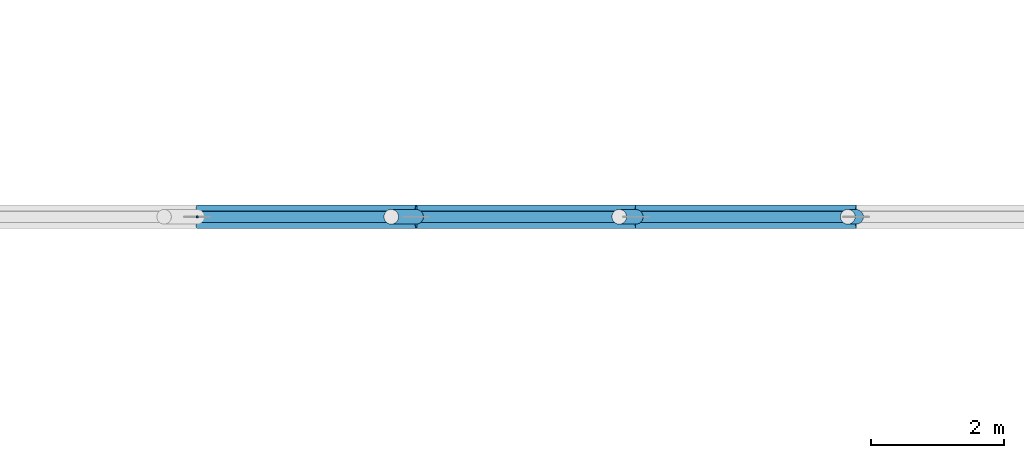
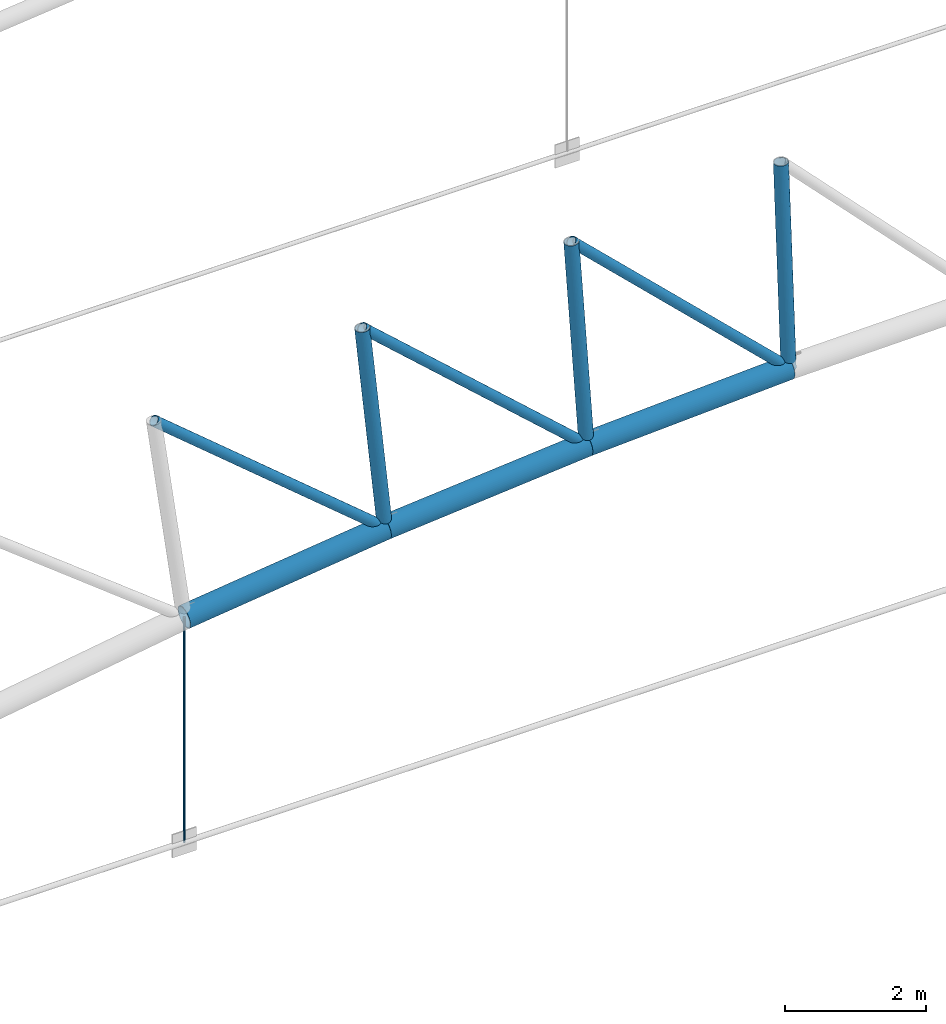
# One storey, part 69 of 321: 10 members.
"""IFC4 building model written with IfcOpenShell, lengths in metres."""

from ifc_helpers import new_model, si_unit, direction, frame, origin, origin_2d, place, context, subcontext, project, spatial, circle, hollow_circle, extrude, material, material_profile, profile_set, type_object, element, save


model = new_model("IFC4")

# Units and contexts
model_context = context("Model", 3, precision=1e-05, world=origin(), true_north=direction((0.0, 1.0)))
body_context = subcontext(model_context, "Body", "Model", "MODEL_VIEW")
ifc_project = project(units=[si_unit("LENGTHUNIT", "METRE"), si_unit("AREAUNIT", "SQUARE_METRE"), si_unit("VOLUMEUNIT", "CUBIC_METRE"), si_unit("PLANEANGLEUNIT", "RADIAN"), si_unit("MASSUNIT", "GRAM", prefix="KILO")], contexts=[model_context])

# Site, building, storey
site_placement = place(None, origin())
site = spatial("IfcSite", under=ifc_project, at=site_placement, CompositionType="ELEMENT")
building_placement = place(site_placement, origin())
building = spatial("IfcBuilding", under=site, at=building_placement, Name="Ravi Spectrum Wholesale Market", CompositionType="ELEMENT")
storey_placement = place(building_placement, frame((0.0, 0.0, 10.800048828125)))
storey = spatial("IfcBuildingStorey", under=building, at=storey_placement, Name="L02", CompositionType="ELEMENT", Elevation=10.800048828125)

# Members
ifc_material_1 = material(Name="Steel S355", Category="steel")
ifc_material_profile_1 = material_profile(ifc_material_1, hollow_circle(Radius=0.084228515625, WallThickness=0.00634765625, at=origin_2d()))
ifc_profile_set_1 = profile_set([ifc_material_profile_1], Name="Steel S355")
member_type_1 = type_object("IfcMemberType", Name="CHS 168.3x6.3 brace", PredefinedType="BRACE", material=ifc_profile_set_1)
for number, where, z_axis, x_axis, name in (
    (1, (56.321533203125, 102.0, 7.45458984375), (0.766252893925, 0.0, -0.642539105854), (0.0, 1.0, 0.0), "H1-MB-L02-565"),
    (2, (59.726806640625, 102.0, 7.867919921875), (0.743626505142, 0.0, -0.668595259369), (0.0, 1.0, 0.0), "H1-MB-L02-566"),
):
    element("IfcMember", number, at=place(storey_placement, frame(where, z_axis=z_axis, x_axis=x_axis)), inside=storey, type_object=member_type_1, Name=name, PredefinedType="BRACE", context=body_context, shape_type="SweptSolid", body=[
        extrude(hollow_circle(Radius=0.084228515625, WallThickness=0.00634765625, at=origin_2d()), origin(), (0.0, 0.0, 1.0), 4.9296875),
    ])
member_1_placement = place(storey_placement, frame((63.14453125, 102.0, 8.163330078125), z_axis=(0.7201093859, 0.0, -0.69386055684), x_axis=(0.0, 1.0, 0.0)))
element("IfcMember", 3, at=member_1_placement, inside=storey, type_object=member_type_1, Name="H1-MB-L02-567", PredefinedType="BRACE", context=body_context, shape_type="SweptSolid", body=[
    extrude(hollow_circle(Radius=0.084228515625, WallThickness=0.00634765625, at=origin_2d()), origin(), (0.0, 0.0, 1.0), 4.929443359375),
])
ifc_material_2 = material(Name="Steel S355", Category="steel")
ifc_material_profile_2 = material_profile(ifc_material_2, hollow_circle(Radius=0.109619140625, WallThickness=0.008056640625, at=origin_2d()))
ifc_profile_set_2 = profile_set([ifc_material_profile_2], Name="Steel S355")
member_type_2 = type_object("IfcMemberType", Name="CHS 219.1x8 post", PredefinedType="POST", material=ifc_profile_set_2)
member_2_placement = place(storey_placement, frame((59.726806640625, 102.0, 7.867919921875), z_axis=(0.103350310801, 0.0, -0.994645018716), x_axis=(0.0, 1.0, 0.0)))
element("IfcMember", 4, at=member_2_placement, inside=storey, type_object=member_type_2, Name="H1-MB-L02-543", PredefinedType="POST", context=body_context, shape_type="SweptSolid", body=[
    extrude(hollow_circle(Radius=0.109619140625, WallThickness=0.008056640625, at=origin_2d()), origin(), (0.0, 0.0, 1.0), 3.60009765625),
])
member_3_placement = place(storey_placement, frame((63.14453125, 102.0, 8.163330078125), z_axis=(0.068904502548, 0.0, -0.997623260319), x_axis=(0.0, 1.0, 0.0)))
element("IfcMember", 5, at=member_3_placement, inside=storey, type_object=member_type_2, Name="H1-MB-L02-544", PredefinedType="POST", context=body_context, shape_type="SweptSolid", body=[
    extrude(hollow_circle(Radius=0.109619140625, WallThickness=0.008056640625, at=origin_2d()), origin(), (0.0, 0.0, 1.0), 3.599853515625),
])
member_4_placement = place(storey_placement, frame((66.5703125, 102.0, 8.3408203125), z_axis=(0.034450597287, 0.0, -0.999406401994), x_axis=(0.0, 1.0, 0.0)))
element("IfcMember", 6, at=member_4_placement, inside=storey, type_object=member_type_2, Name="H1-MB-L02-545", PredefinedType="POST", context=body_context, shape_type="SweptSolid", body=[
    extrude(hollow_circle(Radius=0.109619140625, WallThickness=0.008056640625, at=origin_2d()), origin(), (0.0, 0.0, 1.0), 3.60009765625),
])
ifc_material_3 = material(Name="Steel S355", Category="steel")
ifc_material_profile_3 = material_profile(ifc_material_3, hollow_circle(Radius=0.177734375, WallThickness=0.012451171875, at=origin_2d()))
ifc_profile_set_3 = profile_set([ifc_material_profile_3], Name="Steel S355")
member_type_3 = type_object("IfcMemberType", Name="CHS 355.6x12.5 chord", PredefinedType="CHORD", material=ifc_profile_set_3)
member_5_placement = place(storey_placement, frame((56.81689453125, 102.0, 3.888916015625), z_axis=(0.99272014244, 0.0, 0.120443840833), x_axis=(0.0, 1.0, 0.0)))
element("IfcMember", 7, at=member_5_placement, inside=storey, type_object=member_type_3, Name="H1-MB-L02-519", PredefinedType="CHORD", context=body_context, shape_type="SweptSolid", body=[
    extrude(hollow_circle(Radius=0.177734375, WallThickness=0.012451171875, at=origin_2d()), origin(), (0.0, 0.0, 1.0), 3.30615234375),
])
member_6_placement = place(storey_placement, frame((60.098876953125, 102.0, 4.287109375), z_axis=(0.99627955827, 0.0, 0.08618028645), x_axis=(0.0, 1.0, 0.0)))
element("IfcMember", 8, at=member_6_placement, inside=storey, type_object=member_type_3, Name="H1-MB-L02-520", PredefinedType="CHORD", context=body_context, shape_type="SweptSolid", body=[
    extrude(hollow_circle(Radius=0.177734375, WallThickness=0.012451171875, at=origin_2d()), origin(), (0.0, 0.0, 1.0), 3.305908203125),
])
member_7_placement = place(storey_placement, frame((63.392578125, 102.0, 4.572021484375), z_axis=(0.99866314533, 0.0, 0.051690638992), x_axis=(0.0, 1.0, 0.0)))
element("IfcMember", 9, at=member_7_placement, inside=storey, type_object=member_type_3, Name="H1-MB-L02-521", PredefinedType="CHORD", context=body_context, shape_type="SweptSolid", body=[
    extrude(hollow_circle(Radius=0.177734375, WallThickness=0.012451171875, at=origin_2d()), origin(), (0.0, 0.0, 1.0), 3.30615234375),
])
ifc_material_4 = material(Name="Steel S355", Category="steel")
ifc_material_profile_4 = material_profile(ifc_material_4, circle(Radius=0.01806640625, at=origin_2d()))
ifc_profile_set_4 = profile_set([ifc_material_profile_4], Name="Steel S355")
member_type_4 = type_object("IfcMemberType", Name="ROD 36 hanger", PredefinedType="STRUT", material=ifc_profile_set_4)
member_8_placement = place(storey_placement, frame((56.81689453125, 102.0, 0.0), z_axis=(0.0, 0.0, 1.0), x_axis=(1.0, 0.0, 0.0)))
element("IfcMember", 10, at=member_8_placement, inside=storey, type_object=member_type_4, Name="H1-MB-L02-582", PredefinedType="STRUT", context=body_context, shape_type="SweptSolid", body=[
    extrude(circle(Radius=0.01806640625, at=origin_2d()), origin(), (0.0, 0.0, 1.0), 3.888916015625),
])

save(model, "model.ifc")
